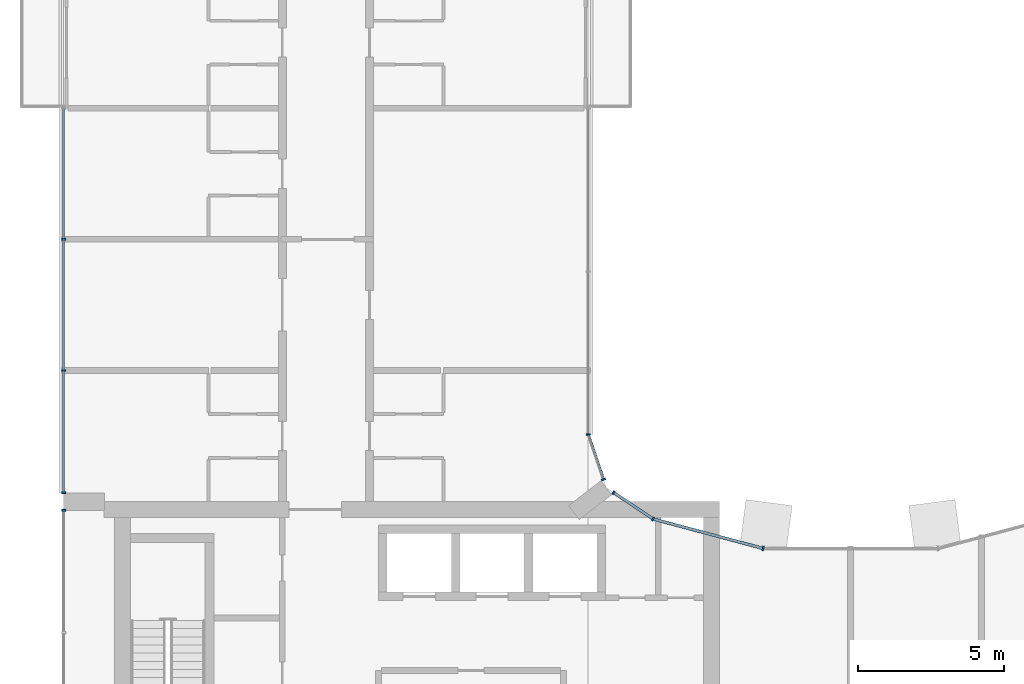
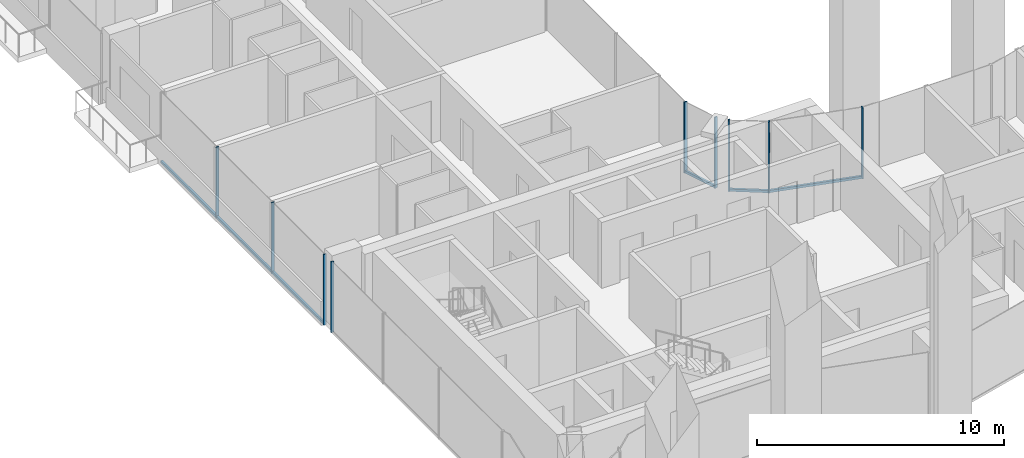
# One storey, part 4 of 17: 13 members, 6 elements without a shape of their own.
"""IFC4 building model written with IfcOpenShell, lengths in metres."""

from ifc_helpers import new_model, si_unit, direction, frame, origin, origin_2d, place, context, subcontext, project, spatial, rectangle, extrude, material, layer, layer_set, material_profile, profile_set, type_object, element, aggregate, save


model = new_model("IFC4")

# Units and contexts
model_context = context("Model", 3, precision=1e-05, world=origin(), true_north=direction((0.0, 1.0)))
body_context = subcontext(model_context, "Body", "Model", "MODEL_VIEW")
ifc_project = project(units=[si_unit("LENGTHUNIT", "METRE"), si_unit("AREAUNIT", "SQUARE_METRE"), si_unit("VOLUMEUNIT", "CUBIC_METRE"), si_unit("PLANEANGLEUNIT", "RADIAN"), si_unit("MASSUNIT", "GRAM", prefix="KILO")], contexts=[model_context])

# Site, building, storey
site_placement = place(None, origin())
site = spatial("IfcSite", under=ifc_project, at=site_placement, CompositionType="ELEMENT")
building_placement = place(site_placement, origin())
building = spatial("IfcBuilding", under=site, at=building_placement, Name="Plateau Cross Towers", CompositionType="ELEMENT")
storey_placement = place(building_placement, frame((0.0, 0.0, 190.89990234375)))
storey = spatial("IfcBuildingStorey", under=building, at=storey_placement, Name="L49", CompositionType="ELEMENT", Elevation=190.89990234375)

# Curtain wall, members
ifc_material_1 = material(Name="Dark low-iron glass", Category="glass")
ifc_layer_1 = layer(ifc_material_1, 0.239990234375)
ifc_layer_set_1 = layer_set([ifc_layer_1], Name="Dark low-iron glass")
curtain_wall_type_1 = type_object("IfcCurtainWallType", Name="Curtain wall flush unitised CW-B", PredefinedType="NOTDEFINED", material=ifc_layer_set_1)
curtain_wall_1_placement = place(storey_placement, origin())
curtain_wall_1 = element("IfcCurtainWall", 1, at=curtain_wall_1_placement, inside=storey, type_object=curtain_wall_type_1, Name="ENV/A/L49/A202_174", PredefinedType="NOTDEFINED")
ifc_material_2 = material(Name="Black anodised aluminium", Category="aluminium")
ifc_material_profile_1 = material_profile(ifc_material_2, rectangle(XDim=0.06005859375, YDim=0.139892578125, at=origin_2d()), Name="MULLION 60x140")
ifc_profile_set_1 = profile_set([ifc_material_profile_1], Name="Black anodised aluminium")
member_type_1 = type_object("IfcMemberType", Name="Mullion 60x140 flush unitised", PredefinedType="MULLION", material=ifc_profile_set_1)
member_1_placement = place(storey_placement, frame((20.223876953125, 17.404296875, -0.25), z_axis=(0.0, 0.0, 1.0), x_axis=(-0.831521253329, 0.555492938984, 0.0)))
member_1 = element("IfcMember", 2, at=member_1_placement, type_object=member_type_1, Name="CW-B mullion 1", PredefinedType="MULLION", context=body_context, shape_type="SweptSolid", body=[
    extrude(rectangle(XDim=0.06005859375, YDim=0.139892578125, at=origin_2d()), origin(), (0.0, 0.0, 1.0), 3.5),
])
member_2_placement = place(storey_placement, frame((18.86962890625, 18.30908203125, -0.25), z_axis=(0.0, 0.0, 1.0), x_axis=(-0.831521253329, 0.555492938984, 0.0)))
member_2 = element("IfcMember", 3, at=member_2_placement, type_object=member_type_1, Name="CW-B mullion 2", PredefinedType="MULLION", context=body_context, shape_type="SweptSolid", body=[
    extrude(rectangle(XDim=0.06005859375, YDim=0.139892578125, at=origin_2d()), origin(), (0.0, 0.0, 1.0), 3.5),
])

# Curtain wall, member
curtain_wall_2_placement = place(storey_placement, origin())
curtain_wall_2 = element("IfcCurtainWall", 4, at=curtain_wall_2_placement, inside=storey, type_object=curtain_wall_type_1, Name="ENV/A/L49/A185_188", PredefinedType="NOTDEFINED")
member_3_placement = place(storey_placement, frame((18.523681640625, 18.760009765625, -0.25), z_axis=(0.0, 0.0, 1.0), x_axis=(-0.321469161574, 0.94692004845, 0.0)))
member_3 = element("IfcMember", 5, at=member_3_placement, type_object=member_type_1, Name="CW-B mullion 1", PredefinedType="MULLION", context=body_context, shape_type="SweptSolid", body=[
    extrude(rectangle(XDim=0.06005859375, YDim=0.139892578125, at=origin_2d()), origin(), (0.0, 0.0, 1.0), 3.5),
])

curtain_wall_3_placement = place(storey_placement, origin())
curtain_wall_3 = element("IfcCurtainWall", 6, at=curtain_wall_3_placement, inside=storey, type_object=curtain_wall_type_1, Name="ENV/A/L49/A180_203", PredefinedType="NOTDEFINED")
member_4_placement = place(storey_placement, frame((18.0, 20.30224609375, -0.25), z_axis=(0.0, 0.0, 1.0), x_axis=(0.0, 1.0, 0.0)))
member_4 = element("IfcMember", 7, at=member_4_placement, type_object=member_type_1, Name="CW-B mullion 1", PredefinedType="MULLION", context=body_context, shape_type="SweptSolid", body=[
    extrude(rectangle(XDim=0.06005859375, YDim=0.139892578125, at=origin_2d()), origin(), (0.0, 0.0, 1.0), 3.5),
])
aggregate(curtain_wall_3, [member_4])

# Curtain wall, members
curtain_wall_4_placement = place(storey_placement, origin())
curtain_wall_4 = element("IfcCurtainWall", 8, at=curtain_wall_4_placement, inside=storey, type_object=curtain_wall_type_1, Name="ENV/A/L49/A0_315", PredefinedType="NOTDEFINED")
member_5_placement = place(storey_placement, frame((0.0, 27.0, -0.25), z_axis=(0.0, 0.0, 1.0), x_axis=(0.0, -1.0, 0.0)))
member_5 = element("IfcMember", 9, at=member_5_placement, type_object=member_type_1, Name="CW-B mullion 2", PredefinedType="MULLION", context=body_context, shape_type="SweptSolid", body=[
    extrude(rectangle(XDim=0.06005859375, YDim=0.139892578125, at=origin_2d()), origin(), (0.0, 0.0, 1.0), 3.5),
])
member_6_placement = place(storey_placement, frame((0.0, 22.5, -0.25), z_axis=(0.0, 0.0, 1.0), x_axis=(0.0, -1.0, 0.0)))
member_6 = element("IfcMember", 10, at=member_6_placement, type_object=member_type_1, Name="CW-B mullion 3", PredefinedType="MULLION", context=body_context, shape_type="SweptSolid", body=[
    extrude(rectangle(XDim=0.06005859375, YDim=0.139892578125, at=origin_2d()), origin(), (0.0, 0.0, 1.0), 3.5),
])
member_7_placement = place(storey_placement, frame((0.0, 18.300048828125, -0.25), z_axis=(0.0, 0.0, 1.0), x_axis=(0.0, -1.0, 0.0)))
member_7 = element("IfcMember", 11, at=member_7_placement, type_object=member_type_1, Name="CW-B mullion 4", PredefinedType="MULLION", context=body_context, shape_type="SweptSolid", body=[
    extrude(rectangle(XDim=0.06005859375, YDim=0.139892578125, at=origin_2d()), origin(), (0.0, 0.0, 1.0), 3.5),
])

# Curtain wall, member
curtain_wall_5_placement = place(storey_placement, origin())
curtain_wall_5 = element("IfcCurtainWall", 12, at=curtain_wall_5_placement, inside=storey, type_object=curtain_wall_type_1, Name="ENV/A/L49/A0_177", PredefinedType="NOTDEFINED")
member_8_placement = place(storey_placement, frame((0.0, 17.699951171875, -0.25), z_axis=(0.0, 0.0, 1.0), x_axis=(0.0, -1.0, 0.0)))
member_8 = element("IfcMember", 13, at=member_8_placement, type_object=member_type_1, Name="CW-B mullion 1", PredefinedType="MULLION", context=body_context, shape_type="SweptSolid", body=[
    extrude(rectangle(XDim=0.06005859375, YDim=0.139892578125, at=origin_2d()), origin(), (0.0, 0.0, 1.0), 3.5),
])
aggregate(curtain_wall_5, [member_8])

ifc_layer_2 = layer(ifc_material_1, 0.260009765625)
ifc_layer_set_2 = layer_set([ifc_layer_2], Name="Dark low-iron glass")
curtain_wall_type_2 = type_object("IfcCurtainWallType", Name="Curtain wall fluted unitised CW-A", PredefinedType="NOTDEFINED", material=ifc_layer_set_2)
curtain_wall_6_placement = place(storey_placement, origin())
curtain_wall_6 = element("IfcCurtainWall", 14, at=curtain_wall_6_placement, inside=storey, type_object=curtain_wall_type_2, Name="ENV/A/L49/A240_164", PredefinedType="NOTDEFINED")
ifc_material_profile_2 = material_profile(ifc_material_2, rectangle(XDim=0.06005859375, YDim=0.159912109375, at=origin_2d()), Name="MULLION 60x160")
ifc_profile_set_2 = profile_set([ifc_material_profile_2], Name="Black anodised aluminium")
member_type_2 = type_object("IfcMemberType", Name="Mullion 60x160 fluted unitised", PredefinedType="MULLION", material=ifc_profile_set_2)
member_9_placement = place(storey_placement, frame((24.0, 16.39306640625, -0.25), z_axis=(0.0, 0.0, 1.0), x_axis=(-0.965957995816, 0.258698956933, 0.0)))
member_9 = element("IfcMember", 15, at=member_9_placement, type_object=member_type_2, Name="CW-A mullion 1", PredefinedType="MULLION", context=body_context, shape_type="SweptSolid", body=[
    extrude(rectangle(XDim=0.06005859375, YDim=0.159912109375, at=origin_2d()), origin(), (0.0, 0.0, 1.0), 3.5),
])

# Member
ifc_material_profile_3 = material_profile(ifc_material_2, rectangle(XDim=0.10009765625, YDim=0.1201171875, at=origin_2d()), Name="TRANSOM 100x120")
ifc_profile_set_3 = profile_set([ifc_material_profile_3], Name="Black anodised aluminium")
member_type_3 = type_object("IfcMemberType", Name="Transom 100x120 flush unitised", PredefinedType="USERDEFINED", material=ifc_profile_set_3)
member_10_placement = place(storey_placement, frame((20.223876953125, 17.404296875, -0.18994140625), z_axis=(-0.831496402487, 0.555530136582, 0.0), x_axis=(-0.555530136582, -0.831496402487, 0.0)))
member_10 = element("IfcMember", 16, at=member_10_placement, type_object=member_type_3, Name="CW-B transom", ObjectType="TRANSOM", PredefinedType="USERDEFINED", context=body_context, shape_type="SweptSolid", body=[
    extrude(rectangle(XDim=0.10009765625, YDim=0.1201171875, at=origin_2d()), origin(), (0.0, 0.0, 1.0), 1.628662109375),
])

aggregate(curtain_wall_1, [member_1, member_2, member_10])

member_11_placement = place(storey_placement, frame((18.523681640625, 18.760009765625, -0.18994140625), z_axis=(-0.321529174838, 0.946899672472, 0.0), x_axis=(-0.946899672472, -0.321529174838, 0.0)))
member_11 = element("IfcMember", 17, at=member_11_placement, type_object=member_type_3, Name="CW-B transom", ObjectType="TRANSOM", PredefinedType="USERDEFINED", context=body_context, shape_type="SweptSolid", body=[
    extrude(rectangle(XDim=0.10009765625, YDim=0.1201171875, at=origin_2d()), origin(), (0.0, 0.0, 1.0), 1.628662109375),
])

aggregate(curtain_wall_2, [member_3, member_11])

member_12_placement = place(storey_placement, frame((0.0, 31.489990234375, -0.18994140625), z_axis=(0.0, -1.0, 0.0), x_axis=(1.0, 0.0, 0.0)))
member_12 = element("IfcMember", 18, at=member_12_placement, type_object=member_type_3, Name="CW-B transom", ObjectType="TRANSOM", PredefinedType="USERDEFINED", context=body_context, shape_type="SweptSolid", body=[
    extrude(rectangle(XDim=0.10009765625, YDim=0.1201171875, at=origin_2d()), origin(), (0.0, 0.0, 1.0), 13.18994140625),
])

aggregate(curtain_wall_4, [member_5, member_6, member_7, member_12])

ifc_material_profile_4 = material_profile(ifc_material_2, rectangle(XDim=0.10009765625, YDim=0.1201171875, at=origin_2d()), Name="TRANSOM 100x120")
ifc_profile_set_4 = profile_set([ifc_material_profile_4], Name="Black anodised aluminium")
member_type_4 = type_object("IfcMemberType", Name="Transom 100x120 fluted unitised", PredefinedType="USERDEFINED", material=ifc_profile_set_4)
member_13_placement = place(storey_placement, frame((24.0, 16.39306640625, -0.18994140625), z_axis=(-0.965962822393, 0.25868093427, 0.0), x_axis=(-0.25868093427, -0.965962822393, 0.0)))
member_13 = element("IfcMember", 19, at=member_13_placement, type_object=member_type_4, Name="CW-A transom", ObjectType="TRANSOM", PredefinedType="USERDEFINED", context=body_context, shape_type="SweptSolid", body=[
    extrude(rectangle(XDim=0.10009765625, YDim=0.1201171875, at=origin_2d()), origin(), (0.0, 0.0, 1.0), 3.9091796875),
])

aggregate(curtain_wall_6, [member_9, member_13])

save(model, "model.ifc")
